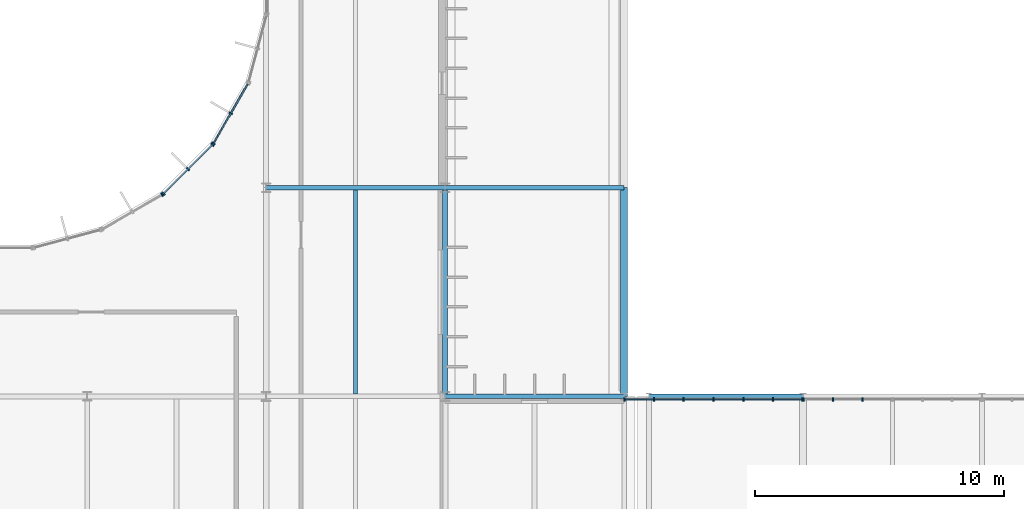
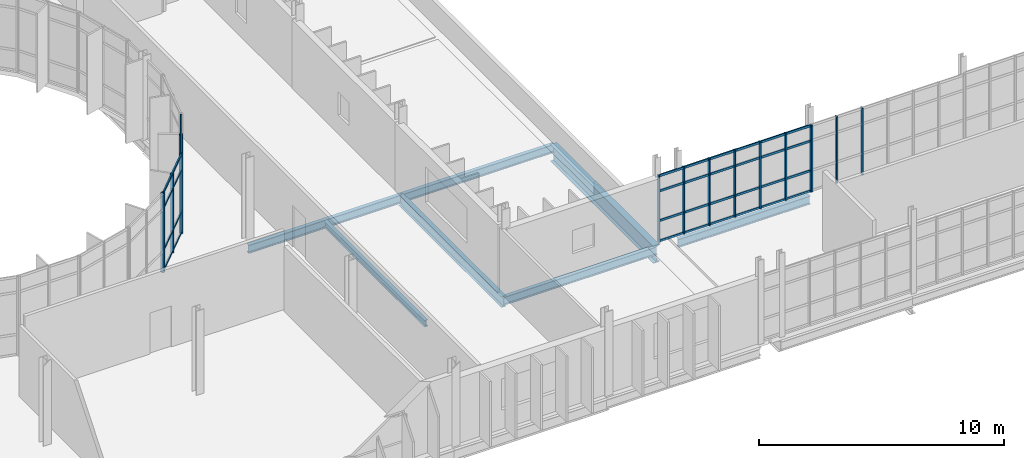
# One storey, part 41 of 99: 28 members, 7 beams, 5 elements without a shape of their own.
"""IFC4 building model written with IfcOpenShell, lengths in metres."""

from ifc_helpers import new_model, si_unit, direction, frame, origin, origin_2d, place, context, subcontext, project, spatial, rectangle, i_section, extrude, material, material_profile, profile_set, type_object, element, aggregate, save


model = new_model("IFC4")

# Units and contexts
model_context = context("Model", 3, precision=1e-05, world=origin(), true_north=direction((0.0, 1.0)))
body_context = subcontext(model_context, "Body", "Model", "MODEL_VIEW")
ifc_project = project(units=[si_unit("LENGTHUNIT", "METRE"), si_unit("AREAUNIT", "SQUARE_METRE"), si_unit("VOLUMEUNIT", "CUBIC_METRE"), si_unit("PLANEANGLEUNIT", "RADIAN"), si_unit("MASSUNIT", "GRAM", prefix="KILO")], contexts=[model_context])

# Site, building, storey
site_placement = place(None, origin())
site = spatial("IfcSite", under=ifc_project, at=site_placement, CompositionType="ELEMENT")
building_placement = place(site_placement, origin())
building = spatial("IfcBuilding", under=site, at=building_placement, Name="Qelthora Terrace Specialist Clinic", CompositionType="ELEMENT")
storey_placement = place(building_placement, frame((0.0, 0.0, 9.0)))
storey = spatial("IfcBuildingStorey", under=building, at=storey_placement, Name="L02", CompositionType="ELEMENT", Elevation=9.0)

# Beams
ifc_material_1 = material(Name="Steel S355", Category="steel")
ifc_material_profile_1 = material_profile(ifc_material_1, i_section(OverallWidth=0.178955078125, OverallDepth=0.409912109375, WebThickness=0.0087890625, FlangeThickness=0.014404296875, FilletRadius=0.011962890625, at=origin_2d()), Name="W410X67")
ifc_profile_set_1 = profile_set([ifc_material_profile_1], Name="Steel S355")
beam_type_1 = type_object("IfcBeamType", Name="BM-W410X67", PredefinedType="BEAM", material=ifc_profile_set_1)
for number, where, z_axis, x_axis, name in (
    (1, (43.199951171875, 67.199951171875, -0.455078125), (1.0, 0.0, 0.0), (0.0, 1.0, 0.0), "Girder BMX-L02-0654"),
    (2, (43.199951171875, 75.60009765625, -0.455078125), (1.0, 0.0, 0.0), (0.0, 1.0, 0.0), "Girder BMX-L02-0668"),
):
    element("IfcBeam", number, at=place(storey_placement, frame(where, z_axis=z_axis, x_axis=x_axis)), inside=storey, type_object=beam_type_1, Name=name, PredefinedType="BEAM", context=body_context, shape_type="SweptSolid", body=[
        extrude(i_section(OverallWidth=0.178955078125, OverallDepth=0.409912109375, WebThickness=0.0087890625, FlangeThickness=0.014404296875, FilletRadius=0.011962890625, at=origin_2d()), origin(), (0.0, 0.0, 1.0), 7.199951171875),
    ])
ifc_material_profile_2 = material_profile(ifc_material_1, i_section(OverallWidth=0.179931640625, OverallDepth=0.4130859375, WebThickness=0.009765625, FlangeThickness=0.01611328125, FilletRadius=0.011962890625, at=origin_2d()), Name="W410X75")
ifc_profile_set_2 = profile_set([ifc_material_profile_2], Name="Steel S355")
beam_type_2 = type_object("IfcBeamType", Name="BM-W410X75", PredefinedType="BEAM", material=ifc_profile_set_2)
beam_1_placement = place(storey_placement, frame((51.39990234375, 67.199951171875, -0.45654296875), z_axis=(1.0, 0.0, 0.0), x_axis=(0.0, 1.0, 0.0)))
element("IfcBeam", 3, at=beam_1_placement, inside=storey, type_object=beam_type_2, Name="Girder BMX-L02-0655", PredefinedType="BEAM", context=body_context, shape_type="SweptSolid", body=[
    extrude(i_section(OverallWidth=0.179931640625, OverallDepth=0.4130859375, WebThickness=0.009765625, FlangeThickness=0.01611328125, FilletRadius=0.011962890625, at=origin_2d()), origin(), (0.0, 0.0, 1.0), 6.2001953125),
])
beam_2_placement = place(storey_placement, frame((36.0, 75.60009765625, -0.45654296875), z_axis=(1.0, 0.0, 0.0), x_axis=(0.0, 1.0, 0.0)))
element("IfcBeam", 4, at=beam_2_placement, inside=storey, type_object=beam_type_2, Name="Girder BMX-L02-0667", PredefinedType="BEAM", context=body_context, shape_type="SweptSolid", body=[
    extrude(i_section(OverallWidth=0.179931640625, OverallDepth=0.4130859375, WebThickness=0.009765625, FlangeThickness=0.01611328125, FilletRadius=0.011962890625, at=origin_2d()), origin(), (0.0, 0.0, 1.0), 7.199951171875),
])
ifc_material_profile_3 = material_profile(ifc_material_1, i_section(OverallWidth=0.2119140625, OverallDepth=0.5439453125, WebThickness=0.01318359375, FlangeThickness=0.021240234375, FilletRadius=0.013916015625, at=origin_2d()), Name="W530X123")
ifc_profile_set_3 = profile_set([ifc_material_profile_3], Name="Steel S355")
beam_type_3 = type_object("IfcBeamType", Name="BM-W530X123", PredefinedType="BEAM", material=ifc_profile_set_3)
beam_3_placement = place(storey_placement, frame((43.199951171875, 67.199951171875, -0.52197265625), z_axis=(0.0, 1.0, 0.0), x_axis=(-1.0, 0.0, 0.0)))
element("IfcBeam", 5, at=beam_3_placement, inside=storey, type_object=beam_type_3, Name="Girder BMY-L02-0795", PredefinedType="BEAM", context=body_context, shape_type="SweptSolid", body=[
    extrude(i_section(OverallWidth=0.2119140625, OverallDepth=0.5439453125, WebThickness=0.01318359375, FlangeThickness=0.021240234375, FilletRadius=0.013916015625, at=origin_2d()), origin(), (0.0, 0.0, 1.0), 8.400146484375),
])
ifc_material_profile_4 = material_profile(ifc_material_1, i_section(OverallWidth=0.2939453125, OverallDepth=0.85107421875, WebThickness=0.01611328125, FlangeThickness=0.02685546875, FilletRadius=0.02001953125, at=origin_2d()), Name="W840X226")
ifc_profile_set_4 = profile_set([ifc_material_profile_4], Name="Steel S355")
beam_type_4 = type_object("IfcBeamType", Name="BM-W840X226", PredefinedType="BEAM", material=ifc_profile_set_4)
beam_4_placement = place(storey_placement, frame((50.39990234375, 67.199951171875, -0.675537109375), z_axis=(0.0, 1.0, 0.0), x_axis=(-1.0, 0.0, 0.0)))
element("IfcBeam", 6, at=beam_4_placement, inside=storey, type_object=beam_type_4, Name="Girder BMY-L02-0801", PredefinedType="BEAM", context=body_context, shape_type="SweptSolid", body=[
    extrude(i_section(OverallWidth=0.2939453125, OverallDepth=0.85107421875, WebThickness=0.01611328125, FlangeThickness=0.02685546875, FilletRadius=0.02001953125, at=origin_2d()), origin(), (0.0, 0.0, 1.0), 8.400146484375),
])

# Curtain wall, member
ifc_material_2 = material(Name="Aluminium anodized bronze", Category="aluminium")
curtain_wall_type_1 = type_object("IfcCurtainWallType", Name="CW-CRTW-UPP", PredefinedType="NOTDEFINED", material=ifc_material_2)
curtain_wall_1_placement = place(storey_placement, origin())
curtain_wall_1 = element("IfcCurtainWall", 7, at=curtain_wall_1_placement, inside=storey, type_object=curtain_wall_type_1, Name="Curtain wall CW-CW-L02-20", PredefinedType="NOTDEFINED")
ifc_material_profile_5 = material_profile(ifc_material_2, rectangle(XDim=0.06005859375, YDim=0.14990234375, at=origin_2d()), Name="CWM60X150")
ifc_profile_set_5 = profile_set([ifc_material_profile_5], Name="Aluminium anodized bronze")
member_type_1 = type_object("IfcMemberType", Name="CWM-60X150", PredefinedType="MULLION", material=ifc_profile_set_5)
member_1_placement = place(storey_placement, frame((31.8173828125, 75.31787109375, 0.0), z_axis=(0.0, 0.0, 1.0), x_axis=(0.866025635896, 0.499999597971, 0.0)))
member_1 = element("IfcMember", 8, at=member_1_placement, type_object=member_type_1, Name="CW-CW-L02-20 mullion 3", PredefinedType="MULLION", context=body_context, shape_type="SweptSolid", body=[
    extrude(rectangle(XDim=0.06005859375, YDim=0.14990234375, at=origin_2d()), origin(), (0.0, 0.0, 1.0), 3.945068359375),
])
aggregate(curtain_wall_1, [member_1])

# Curtain wall, members
curtain_wall_2_placement = place(storey_placement, origin())
curtain_wall_2 = element("IfcCurtainWall", 9, at=curtain_wall_2_placement, inside=storey, type_object=curtain_wall_type_1, Name="Curtain wall CW-CW-L02-21", PredefinedType="NOTDEFINED")
member_2_placement = place(storey_placement, frame((31.87353515625, 75.361083984375, 0.0), z_axis=(0.0, 0.0, 1.0), x_axis=(0.707106781187, 0.707106781187, 0.0)))
member_2 = element("IfcMember", 10, at=member_2_placement, type_object=member_type_1, Name="CW-CW-L02-21 mullion 1", PredefinedType="MULLION", context=body_context, shape_type="SweptSolid", body=[
    extrude(rectangle(XDim=0.06005859375, YDim=0.14990234375, at=origin_2d()), origin(), (0.0, 0.0, 1.0), 3.945068359375),
])
member_3_placement = place(storey_placement, frame((32.856201171875, 76.34375, 0.0), z_axis=(0.0, 0.0, 1.0), x_axis=(0.707106781187, 0.707106781187, 0.0)))
member_3 = element("IfcMember", 11, at=member_3_placement, type_object=member_type_1, Name="CW-CW-L02-21 mullion 2", PredefinedType="MULLION", context=body_context, shape_type="SweptSolid", body=[
    extrude(rectangle(XDim=0.06005859375, YDim=0.14990234375, at=origin_2d()), origin(), (0.0, 0.0, 1.0), 3.945068359375),
])
member_4_placement = place(storey_placement, frame((33.8388671875, 77.326416015625, 0.0), z_axis=(0.0, 0.0, 1.0), x_axis=(0.707106781187, 0.707106781187, 0.0)))
member_4 = element("IfcMember", 12, at=member_4_placement, type_object=member_type_1, Name="CW-CW-L02-21 mullion 3", PredefinedType="MULLION", context=body_context, shape_type="SweptSolid", body=[
    extrude(rectangle(XDim=0.06005859375, YDim=0.14990234375, at=origin_2d()), origin(), (0.0, 0.0, 1.0), 3.945068359375),
])

curtain_wall_3_placement = place(storey_placement, origin())
curtain_wall_3 = element("IfcCurtainWall", 13, at=curtain_wall_3_placement, inside=storey, type_object=curtain_wall_type_1, Name="Curtain wall CW-CW-L02-22", PredefinedType="NOTDEFINED")
member_5_placement = place(storey_placement, frame((33.882080078125, 77.3828125, 0.0), z_axis=(0.0, 0.0, 1.0), x_axis=(0.499999597971, 0.866025635896, 0.0)))
member_5 = element("IfcMember", 14, at=member_5_placement, type_object=member_type_1, Name="CW-CW-L02-22 mullion 1", PredefinedType="MULLION", context=body_context, shape_type="SweptSolid", body=[
    extrude(rectangle(XDim=0.06005859375, YDim=0.14990234375, at=origin_2d()), origin(), (0.0, 0.0, 1.0), 3.945068359375),
])
member_6_placement = place(storey_placement, frame((34.576904296875, 78.586181640625, 0.0), z_axis=(0.0, 0.0, 1.0), x_axis=(0.499999597971, 0.866025635896, 0.0)))
member_6 = element("IfcMember", 15, at=member_6_placement, type_object=member_type_1, Name="CW-CW-L02-22 mullion 2", PredefinedType="MULLION", context=body_context, shape_type="SweptSolid", body=[
    extrude(rectangle(XDim=0.06005859375, YDim=0.14990234375, at=origin_2d()), origin(), (0.0, 0.0, 1.0), 3.945068359375),
])

curtain_wall_type_2 = type_object("IfcCurtainWallType", Name="CW-BRG-L02", PredefinedType="NOTDEFINED", material=ifc_material_2)
curtain_wall_4_placement = place(storey_placement, origin())
curtain_wall_4 = element("IfcCurtainWall", 16, at=curtain_wall_4_placement, inside=storey, type_object=curtain_wall_type_2, Name="Curtain wall CW-L02-256", PredefinedType="NOTDEFINED")
member_7_placement = place(storey_placement, frame((50.419921875, 67.080078125, 0.0), z_axis=(0.0, 0.0, 1.0), x_axis=(1.0, 0.0, 0.0)))
member_7 = element("IfcMember", 17, at=member_7_placement, type_object=member_type_1, Name="CW-L02-256 mullion 1", PredefinedType="MULLION", context=body_context, shape_type="SweptSolid", body=[
    extrude(rectangle(XDim=0.06005859375, YDim=0.14990234375, at=origin_2d()), origin(), (0.0, 0.0, 1.0), 3.324951171875),
])
member_8_placement = place(storey_placement, frame((51.60009765625, 67.080078125, 0.0), z_axis=(0.0, 0.0, 1.0), x_axis=(1.0, 0.0, 0.0)))
member_8 = element("IfcMember", 18, at=member_8_placement, type_object=member_type_1, Name="CW-L02-256 mullion 2", PredefinedType="MULLION", context=body_context, shape_type="SweptSolid", body=[
    extrude(rectangle(XDim=0.06005859375, YDim=0.14990234375, at=origin_2d()), origin(), (0.0, 0.0, 1.0), 3.324951171875),
])
member_9_placement = place(storey_placement, frame((52.800048828125, 67.080078125, 0.0), z_axis=(0.0, 0.0, 1.0), x_axis=(1.0, 0.0, 0.0)))
member_9 = element("IfcMember", 19, at=member_9_placement, type_object=member_type_1, Name="CW-L02-256 mullion 3", PredefinedType="MULLION", context=body_context, shape_type="SweptSolid", body=[
    extrude(rectangle(XDim=0.06005859375, YDim=0.14990234375, at=origin_2d()), origin(), (0.0, 0.0, 1.0), 3.324951171875),
])
member_10_placement = place(storey_placement, frame((54.0, 67.080078125, 0.0), z_axis=(0.0, 0.0, 1.0), x_axis=(1.0, 0.0, 0.0)))
member_10 = element("IfcMember", 20, at=member_10_placement, type_object=member_type_1, Name="CW-L02-256 mullion 4", PredefinedType="MULLION", context=body_context, shape_type="SweptSolid", body=[
    extrude(rectangle(XDim=0.06005859375, YDim=0.14990234375, at=origin_2d()), origin(), (0.0, 0.0, 1.0), 3.324951171875),
])
member_11_placement = place(storey_placement, frame((55.199951171875, 67.080078125, 0.0), z_axis=(0.0, 0.0, 1.0), x_axis=(1.0, 0.0, 0.0)))
member_11 = element("IfcMember", 21, at=member_11_placement, type_object=member_type_1, Name="CW-L02-256 mullion 5", PredefinedType="MULLION", context=body_context, shape_type="SweptSolid", body=[
    extrude(rectangle(XDim=0.06005859375, YDim=0.14990234375, at=origin_2d()), origin(), (0.0, 0.0, 1.0), 3.324951171875),
])
member_12_placement = place(storey_placement, frame((56.39990234375, 67.080078125, 0.0), z_axis=(0.0, 0.0, 1.0), x_axis=(1.0, 0.0, 0.0)))
member_12 = element("IfcMember", 22, at=member_12_placement, type_object=member_type_1, Name="CW-L02-256 mullion 6", PredefinedType="MULLION", context=body_context, shape_type="SweptSolid", body=[
    extrude(rectangle(XDim=0.06005859375, YDim=0.14990234375, at=origin_2d()), origin(), (0.0, 0.0, 1.0), 3.324951171875),
])
member_13_placement = place(storey_placement, frame((57.580078125, 67.080078125, 0.0), z_axis=(0.0, 0.0, 1.0), x_axis=(1.0, 0.0, 0.0)))
member_13 = element("IfcMember", 23, at=member_13_placement, type_object=member_type_1, Name="CW-L02-256 mullion 7", PredefinedType="MULLION", context=body_context, shape_type="SweptSolid", body=[
    extrude(rectangle(XDim=0.06005859375, YDim=0.14990234375, at=origin_2d()), origin(), (0.0, 0.0, 1.0), 3.324951171875),
])

curtain_wall_5_placement = place(storey_placement, origin())
curtain_wall_5 = element("IfcCurtainWall", 24, at=curtain_wall_5_placement, inside=storey, type_object=curtain_wall_type_2, Name="Curtain wall CW-L02-257", PredefinedType="NOTDEFINED")
member_14_placement = place(storey_placement, frame((57.6201171875, 67.080078125, 0.0), z_axis=(0.0, 0.0, 1.0), x_axis=(1.0, 0.0, 0.0)))
member_14 = element("IfcMember", 25, at=member_14_placement, type_object=member_type_1, Name="CW-L02-257 mullion 1", PredefinedType="MULLION", context=body_context, shape_type="SweptSolid", body=[
    extrude(rectangle(XDim=0.06005859375, YDim=0.14990234375, at=origin_2d()), origin(), (0.0, 0.0, 1.0), 3.330078125),
])
member_15_placement = place(storey_placement, frame((58.800048828125, 67.080078125, 0.0), z_axis=(0.0, 0.0, 1.0), x_axis=(1.0, 0.0, 0.0)))
member_15 = element("IfcMember", 26, at=member_15_placement, type_object=member_type_1, Name="CW-L02-257 mullion 2", PredefinedType="MULLION", context=body_context, shape_type="SweptSolid", body=[
    extrude(rectangle(XDim=0.06005859375, YDim=0.14990234375, at=origin_2d()), origin(), (0.0, 0.0, 1.0), 3.330078125),
])
member_16_placement = place(storey_placement, frame((60.0, 67.080078125, 0.0), z_axis=(0.0, 0.0, 1.0), x_axis=(1.0, 0.0, 0.0)))
member_16 = element("IfcMember", 27, at=member_16_placement, type_object=member_type_1, Name="CW-L02-257 mullion 3", PredefinedType="MULLION", context=body_context, shape_type="SweptSolid", body=[
    extrude(rectangle(XDim=0.06005859375, YDim=0.14990234375, at=origin_2d()), origin(), (0.0, 0.0, 1.0), 3.330078125),
])
aggregate(curtain_wall_5, [member_14, member_15, member_16])

# Member
ifc_material_profile_6 = material_profile(ifc_material_2, rectangle(XDim=0.06005859375, YDim=0.110107421875, at=origin_2d()), Name="CWT60X110")
ifc_profile_set_6 = profile_set([ifc_material_profile_6], Name="Aluminium anodized bronze")
member_type_2 = type_object("IfcMemberType", Name="CWT-60X110", PredefinedType="USERDEFINED", material=ifc_profile_set_6)
member_17_placement = place(storey_placement, frame((31.8876953125, 75.375244140625, 0.0400390625), z_axis=(0.707106781187, 0.707106781187, 0.0), x_axis=(-0.707106781187, 0.707106781187, 0.0)))
member_17 = element("IfcMember", 28, at=member_17_placement, type_object=member_type_2, Name="CW-CW-L02-21 transom 1", ObjectType="TRANSOM", PredefinedType="USERDEFINED", context=body_context, shape_type="SweptSolid", body=[
    extrude(rectangle(XDim=0.06005859375, YDim=0.110107421875, at=origin_2d()), origin(), (0.0, 0.0, 1.0), 2.7392578125),
])

member_18_placement = place(storey_placement, frame((31.8876953125, 75.375244140625, 1.050048828125), z_axis=(0.707106781187, 0.707106781187, 0.0), x_axis=(-0.707106781187, 0.707106781187, 0.0)))
member_18 = element("IfcMember", 29, at=member_18_placement, type_object=member_type_2, Name="CW-CW-L02-21 transom 2", ObjectType="TRANSOM", PredefinedType="USERDEFINED", context=body_context, shape_type="SweptSolid", body=[
    extrude(rectangle(XDim=0.06005859375, YDim=0.110107421875, at=origin_2d()), origin(), (0.0, 0.0, 1.0), 2.7392578125),
])

member_19_placement = place(storey_placement, frame((31.8876953125, 75.375244140625, 3.14501953125), z_axis=(0.707106781187, 0.707106781187, 0.0), x_axis=(-0.707106781187, 0.707106781187, 0.0)))
member_19 = element("IfcMember", 30, at=member_19_placement, type_object=member_type_2, Name="CW-CW-L02-21 transom 3", ObjectType="TRANSOM", PredefinedType="USERDEFINED", context=body_context, shape_type="SweptSolid", body=[
    extrude(rectangle(XDim=0.06005859375, YDim=0.110107421875, at=origin_2d()), origin(), (0.0, 0.0, 1.0), 2.7392578125),
])

member_20_placement = place(storey_placement, frame((31.8876953125, 75.375244140625, 3.905029296875), z_axis=(0.707106781187, 0.707106781187, 0.0), x_axis=(-0.707106781187, 0.707106781187, 0.0)))
member_20 = element("IfcMember", 31, at=member_20_placement, type_object=member_type_2, Name="CW-CW-L02-21 transom 4", ObjectType="TRANSOM", PredefinedType="USERDEFINED", context=body_context, shape_type="SweptSolid", body=[
    extrude(rectangle(XDim=0.06005859375, YDim=0.110107421875, at=origin_2d()), origin(), (0.0, 0.0, 1.0), 2.7392578125),
])

aggregate(curtain_wall_2, [member_2, member_3, member_4, member_17, member_18, member_19, member_20])

member_21_placement = place(storey_placement, frame((33.89208984375, 77.39990234375, 0.0400390625), z_axis=(0.499953886166, 0.866052025982, 0.0), x_axis=(-0.866052025982, 0.499953886166, 0.0)))
member_21 = element("IfcMember", 32, at=member_21_placement, type_object=member_type_2, Name="CW-CW-L02-22 transom 1", ObjectType="TRANSOM", PredefinedType="USERDEFINED", context=body_context, shape_type="SweptSolid", body=[
    extrude(rectangle(XDim=0.06005859375, YDim=0.110107421875, at=origin_2d()), origin(), (0.0, 0.0, 1.0), 2.739501953125),
])

member_22_placement = place(storey_placement, frame((33.89208984375, 77.39990234375, 1.050048828125), z_axis=(0.499953886166, 0.866052025982, 0.0), x_axis=(-0.866052025982, 0.499953886166, 0.0)))
member_22 = element("IfcMember", 33, at=member_22_placement, type_object=member_type_2, Name="CW-CW-L02-22 transom 2", ObjectType="TRANSOM", PredefinedType="USERDEFINED", context=body_context, shape_type="SweptSolid", body=[
    extrude(rectangle(XDim=0.06005859375, YDim=0.110107421875, at=origin_2d()), origin(), (0.0, 0.0, 1.0), 2.739501953125),
])

member_23_placement = place(storey_placement, frame((33.89208984375, 77.39990234375, 3.14501953125), z_axis=(0.499953886166, 0.866052025982, 0.0), x_axis=(-0.866052025982, 0.499953886166, 0.0)))
member_23 = element("IfcMember", 34, at=member_23_placement, type_object=member_type_2, Name="CW-CW-L02-22 transom 3", ObjectType="TRANSOM", PredefinedType="USERDEFINED", context=body_context, shape_type="SweptSolid", body=[
    extrude(rectangle(XDim=0.06005859375, YDim=0.110107421875, at=origin_2d()), origin(), (0.0, 0.0, 1.0), 2.739501953125),
])

member_24_placement = place(storey_placement, frame((33.89208984375, 77.39990234375, 3.905029296875), z_axis=(0.499953886166, 0.866052025982, 0.0), x_axis=(-0.866052025982, 0.499953886166, 0.0)))
member_24 = element("IfcMember", 35, at=member_24_placement, type_object=member_type_2, Name="CW-CW-L02-22 transom 4", ObjectType="TRANSOM", PredefinedType="USERDEFINED", context=body_context, shape_type="SweptSolid", body=[
    extrude(rectangle(XDim=0.06005859375, YDim=0.110107421875, at=origin_2d()), origin(), (0.0, 0.0, 1.0), 2.739501953125),
])

aggregate(curtain_wall_3, [member_5, member_6, member_21, member_22, member_23, member_24])

member_25_placement = place(storey_placement, frame((50.43994140625, 67.080078125, 0.0400390625), z_axis=(1.0, 0.0, 0.0), x_axis=(0.0, 1.0, 0.0)))
member_25 = element("IfcMember", 36, at=member_25_placement, type_object=member_type_2, Name="CW-L02-256 transom 1", ObjectType="TRANSOM", PredefinedType="USERDEFINED", context=body_context, shape_type="SweptSolid", body=[
    extrude(rectangle(XDim=0.06005859375, YDim=0.110107421875, at=origin_2d()), origin(), (0.0, 0.0, 1.0), 7.1201171875),
])

member_26_placement = place(storey_placement, frame((50.43994140625, 67.080078125, 1.050048828125), z_axis=(1.0, 0.0, 0.0), x_axis=(0.0, 1.0, 0.0)))
member_26 = element("IfcMember", 37, at=member_26_placement, type_object=member_type_2, Name="CW-L02-256 transom 2", ObjectType="TRANSOM", PredefinedType="USERDEFINED", context=body_context, shape_type="SweptSolid", body=[
    extrude(rectangle(XDim=0.06005859375, YDim=0.110107421875, at=origin_2d()), origin(), (0.0, 0.0, 1.0), 7.1201171875),
])

member_27_placement = place(storey_placement, frame((50.43994140625, 67.080078125, 2.52490234375), z_axis=(1.0, 0.0, 0.0), x_axis=(0.0, 1.0, 0.0)))
member_27 = element("IfcMember", 38, at=member_27_placement, type_object=member_type_2, Name="CW-L02-256 transom 3", ObjectType="TRANSOM", PredefinedType="USERDEFINED", context=body_context, shape_type="SweptSolid", body=[
    extrude(rectangle(XDim=0.06005859375, YDim=0.110107421875, at=origin_2d()), origin(), (0.0, 0.0, 1.0), 7.1201171875),
])

member_28_placement = place(storey_placement, frame((50.43994140625, 67.080078125, 3.284912109375), z_axis=(1.0, 0.0, 0.0), x_axis=(0.0, 1.0, 0.0)))
member_28 = element("IfcMember", 39, at=member_28_placement, type_object=member_type_2, Name="CW-L02-256 transom 4", ObjectType="TRANSOM", PredefinedType="USERDEFINED", context=body_context, shape_type="SweptSolid", body=[
    extrude(rectangle(XDim=0.06005859375, YDim=0.110107421875, at=origin_2d()), origin(), (0.0, 0.0, 1.0), 7.1201171875),
])

aggregate(curtain_wall_4, [member_7, member_8, member_9, member_10, member_11, member_12, member_13, member_25, member_26, member_27, member_28])

# Beam
ifc_material_profile_7 = material_profile(ifc_material_1, i_section(OverallWidth=0.1669921875, OverallDepth=0.31689453125, WebThickness=0.007568359375, FlangeThickness=0.01318359375, FilletRadius=0.010009765625, at=origin_2d()), Name="W310X52")
ifc_profile_set_7 = profile_set([ifc_material_profile_7], Name="Steel S355")
beam_type_5 = type_object("IfcBeamType", Name="JST-W310X52", PredefinedType="JOIST", material=ifc_profile_set_7)
beam_5_placement = place(storey_placement, frame((39.60009765625, 67.2900390625, -0.408447265625), z_axis=(0.0, 1.0, 0.0), x_axis=(-1.0, 0.0, 0.0)))
element("IfcBeam", 40, at=beam_5_placement, inside=storey, type_object=beam_type_5, Name="Composite floor joist JST-L02-0165", PredefinedType="JOIST", context=body_context, shape_type="SweptSolid", body=[
    extrude(i_section(OverallWidth=0.1669921875, OverallDepth=0.31689453125, WebThickness=0.007568359375, FlangeThickness=0.01318359375, FilletRadius=0.010009765625, at=origin_2d()), origin(), (0.0, 0.0, 1.0), 8.219970703125),
])

save(model, "model.ifc")
